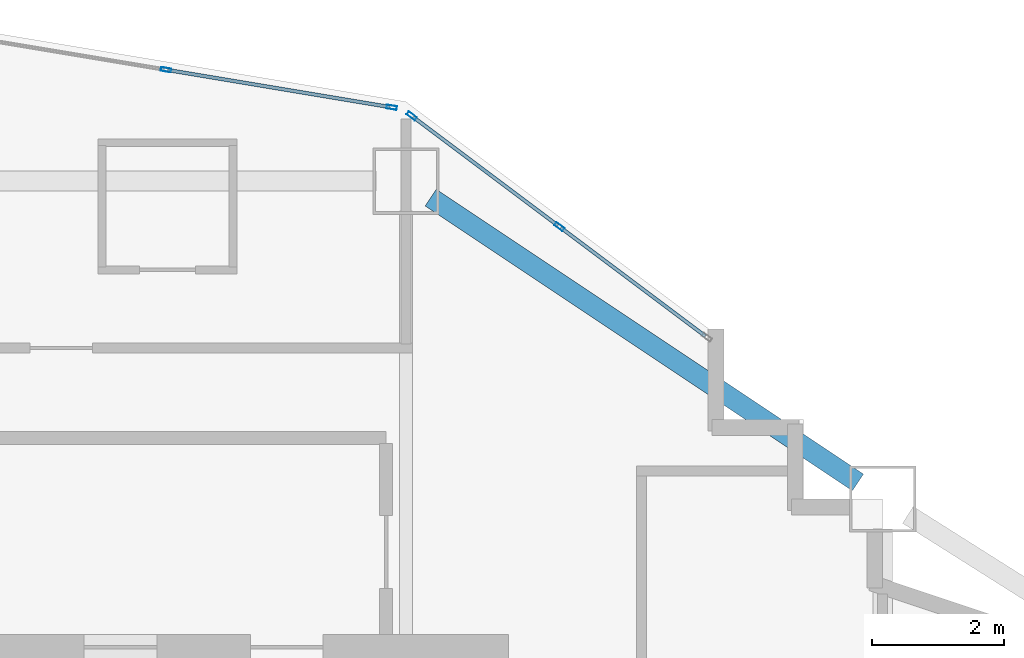
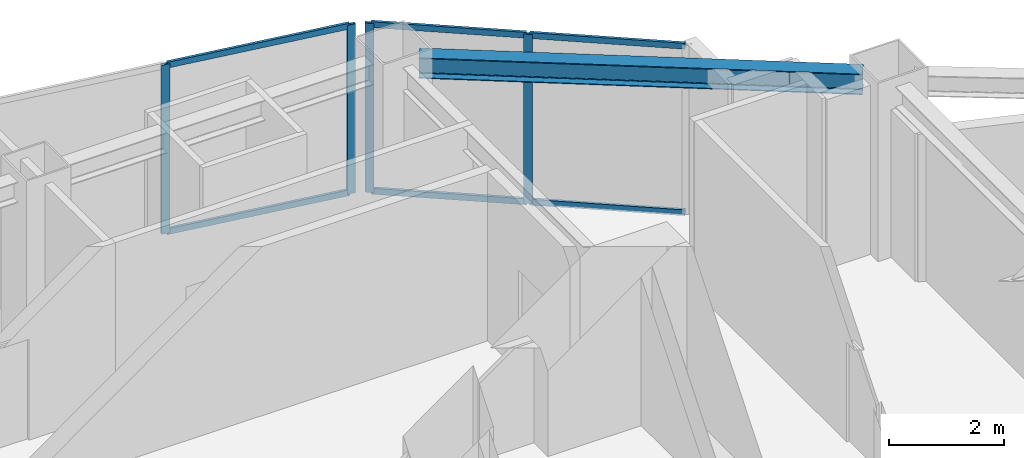
# One storey, part 3 of 16: 10 members, 1 beam, 2 elements without a shape of their own.
"""IFC4 building model written with IfcOpenShell, lengths in metres."""

from ifc_helpers import new_model, si_unit, direction, frame, origin, origin_2d, place, context, subcontext, project, spatial, hollow_rectangle, i_section, extrude, material, layer, layer_set, material_profile, profile_set, type_object, element, aggregate, save


model = new_model("IFC4")

# Units and contexts
model_context = context("Model", 3, precision=1e-05, world=origin(), true_north=direction((0.0, 1.0)))
body_context = subcontext(model_context, "Body", "Model", "MODEL_VIEW")
ifc_project = project(units=[si_unit("LENGTHUNIT", "METRE"), si_unit("AREAUNIT", "SQUARE_METRE"), si_unit("VOLUMEUNIT", "CUBIC_METRE"), si_unit("PLANEANGLEUNIT", "RADIAN"), si_unit("MASSUNIT", "GRAM", prefix="KILO")], contexts=[model_context])

# Site, building, storey
site_placement = place(None, origin())
site = spatial("IfcSite", under=ifc_project, at=site_placement, CompositionType="ELEMENT")
building_placement = place(site_placement, origin())
building = spatial("IfcBuilding", under=site, at=building_placement, Name="Haolan Belvedere Tower", CompositionType="ELEMENT")
storey_placement = place(building_placement, frame((0.0, 0.0, 125.0)))
storey = spatial("IfcBuildingStorey", under=building, at=storey_placement, Name="L31", CompositionType="ELEMENT", Elevation=125.0)

# Beam
ifc_material_1 = material(Name="Steel Q355B", Category="steel")
ifc_material_profile_1 = material_profile(ifc_material_1, i_section(OverallWidth=0.300048828125, OverallDepth=0.43994140625, WebThickness=0.010986328125, FlangeThickness=0.01806640625, FilletRadius=0.02392578125, at=origin_2d()), Name="Steel Q355B")
ifc_profile_set_1 = profile_set([ifc_material_profile_1], Name="Steel Q355B")
beam_type = type_object("IfcBeamType", Name="BM-HM440x300x11x18", PredefinedType="SPANDREL", material=ifc_profile_set_1)
beam_placement = place(storey_placement, frame((45.974365234375, 50.150390625, 3.3798828125), z_axis=(0.832050294338, -0.554700196225, 0.0), x_axis=(0.554700196225, 0.832050294338, 0.0)))
element("IfcBeam", 1, at=beam_placement, inside=storey, type_object=beam_type, Name="L31 spandrel girder MC-T3-N2-MC-T3-NE", PredefinedType="SPANDREL", context=body_context, shape_type="SweptSolid", body=[
    extrude(i_section(OverallWidth=0.300048828125, OverallDepth=0.43994140625, WebThickness=0.010986328125, FlangeThickness=0.01806640625, FilletRadius=0.02392578125, at=origin_2d()), origin(), (0.0, 0.0, 1.0), 7.75341796875),
])

# Curtain wall, members
ifc_material_2 = material(Name="Anodised champagne-silver aluminium 6063-T6 and Low-E glass", Category="aluminium")
ifc_layer = layer(ifc_material_2, 0.155029296875, Name="Anodised champagne-silver aluminium 6063-T6 and Low-E glass")
ifc_layer_set = layer_set([ifc_layer], Name="Anodised champagne-silver aluminium 6063-T6 and Low-E glass")
curtain_wall_type = type_object("IfcCurtainWallType", Name="CW-SYS-03", PredefinedType="NOTDEFINED", material=ifc_layer_set)
curtain_wall_1_placement = place(storey_placement, origin())
curtain_wall_1 = element("IfcCurtainWall", 2, at=curtain_wall_1_placement, inside=storey, type_object=curtain_wall_type, Name="L31 CW-SYS-03 ribbon curtain wall 26.1", PredefinedType="NOTDEFINED")
ifc_material_3 = material(Name="Anodised aluminium 6063-T6", Category="aluminium")
ifc_material_profile_2 = material_profile(ifc_material_3, hollow_rectangle(XDim=0.05810546875, YDim=0.155029296875, WallThickness=0.00390625, at=origin_2d()), Name="Anodised aluminium 6063-T6")
ifc_profile_set_2 = profile_set([ifc_material_profile_2], Name="Anodised aluminium 6063-T6")
member_type_1 = type_object("IfcMemberType", Name="CW-SYS-03-MUL", PredefinedType="MULLION", material=ifc_profile_set_2)
member_1_placement = place(storey_placement, frame((47.915771484375, 49.713134765625, 0.0), z_axis=(0.0, 0.0, 1.0), x_axis=(-0.599994316874, -0.800004262313, 0.0)))
member_1 = element("IfcMember", 3, at=member_1_placement, type_object=member_type_1, Name="CW-03 mullion 2", PredefinedType="MULLION", context=body_context, shape_type="SweptSolid", body=[
    extrude(hollow_rectangle(XDim=0.05810546875, YDim=0.155029296875, WallThickness=0.00390625, at=origin_2d()), origin(), (0.0, 0.0, 1.0), 3.60009765625),
])
member_2_placement = place(storey_placement, frame((45.6865234375, 51.385009765625, 0.0), z_axis=(0.0, 0.0, 1.0), x_axis=(-0.599994316874, -0.800004262313, 0.0)))
member_2 = element("IfcMember", 4, at=member_2_placement, type_object=member_type_1, Name="CW-03 mullion 3", PredefinedType="MULLION", context=body_context, shape_type="SweptSolid", body=[
    extrude(hollow_rectangle(XDim=0.05810546875, YDim=0.155029296875, WallThickness=0.00390625, at=origin_2d()), origin(), (0.0, 0.0, 1.0), 3.60009765625),
])

curtain_wall_2_placement = place(storey_placement, origin())
curtain_wall_2 = element("IfcCurtainWall", 5, at=curtain_wall_2_placement, inside=storey, type_object=curtain_wall_type, Name="L31 CW-SYS-03 ribbon curtain wall 27.1", PredefinedType="NOTDEFINED")
member_3_placement = place(storey_placement, frame((45.384765625, 51.51416015625, 0.0), z_axis=(0.0, 0.0, 1.0), x_axis=(-0.16440364043, -0.9863931483, 0.0)))
member_3 = element("IfcMember", 6, at=member_3_placement, type_object=member_type_1, Name="CW-03 mullion 1", PredefinedType="MULLION", context=body_context, shape_type="SweptSolid", body=[
    extrude(hollow_rectangle(XDim=0.05810546875, YDim=0.155029296875, WallThickness=0.00390625, at=origin_2d()), origin(), (0.0, 0.0, 1.0), 3.60009765625),
])
member_4_placement = place(storey_placement, frame((41.9755859375, 52.082275390625, 0.0), z_axis=(0.0, 0.0, 1.0), x_axis=(-0.16440364043, -0.9863931483, 0.0)))
member_4 = element("IfcMember", 7, at=member_4_placement, type_object=member_type_1, Name="CW-03 mullion 2", PredefinedType="MULLION", context=body_context, shape_type="SweptSolid", body=[
    extrude(hollow_rectangle(XDim=0.05810546875, YDim=0.155029296875, WallThickness=0.00390625, at=origin_2d()), origin(), (0.0, 0.0, 1.0), 3.60009765625),
])

# Member
ifc_material_profile_3 = material_profile(ifc_material_3, hollow_rectangle(XDim=0.053955078125, YDim=0.125, WallThickness=0.00390625, at=origin_2d()), Name="Anodised aluminium 6063-T6")
ifc_profile_set_3 = profile_set([ifc_material_profile_3], Name="Anodised aluminium 6063-T6")
member_type_2 = type_object("IfcMemberType", Name="CW-SYS-03-TRN", PredefinedType="USERDEFINED", material=ifc_profile_set_3)
member_5_placement = place(storey_placement, frame((50.12158203125, 48.058837890625, 0.027099609375), z_axis=(-0.8, 0.6, 0.0), x_axis=(-0.6, -0.8, 0.0)))
member_5 = element("IfcMember", 8, at=member_5_placement, type_object=member_type_2, Name="CW-03 transom 1.1", ObjectType="TRANSOM", PredefinedType="USERDEFINED", context=body_context, shape_type="SweptSolid", body=[
    extrude(hollow_rectangle(XDim=0.053955078125, YDim=0.125, WallThickness=0.00390625, at=origin_2d()), origin(), (0.0, 0.0, 1.0), 2.728271484375),
])

member_6_placement = place(storey_placement, frame((50.12158203125, 48.058837890625, 3.572998046875), z_axis=(-0.8, 0.6, 0.0), x_axis=(-0.6, -0.8, 0.0)))
member_6 = element("IfcMember", 9, at=member_6_placement, type_object=member_type_2, Name="CW-03 transom 1.2", ObjectType="TRANSOM", PredefinedType="USERDEFINED", context=body_context, shape_type="SweptSolid", body=[
    extrude(hollow_rectangle(XDim=0.053955078125, YDim=0.125, WallThickness=0.00390625, at=origin_2d()), origin(), (0.0, 0.0, 1.0), 2.728271484375),
])

member_7_placement = place(storey_placement, frame((47.892578125, 49.730712890625, 0.027099609375), z_axis=(-0.800032211306, 0.59995704919, 0.0), x_axis=(-0.59995704919, -0.800032211306, 0.0)))
member_7 = element("IfcMember", 10, at=member_7_placement, type_object=member_type_2, Name="CW-03 transom 2.1", ObjectType="TRANSOM", PredefinedType="USERDEFINED", context=body_context, shape_type="SweptSolid", body=[
    extrude(hollow_rectangle(XDim=0.053955078125, YDim=0.125, WallThickness=0.00390625, at=origin_2d()), origin(), (0.0, 0.0, 1.0), 2.728515625),
])

member_8_placement = place(storey_placement, frame((47.892578125, 49.730712890625, 3.572998046875), z_axis=(-0.800032211306, 0.59995704919, 0.0), x_axis=(-0.59995704919, -0.800032211306, 0.0)))
member_8 = element("IfcMember", 11, at=member_8_placement, type_object=member_type_2, Name="CW-03 transom 2.2", ObjectType="TRANSOM", PredefinedType="USERDEFINED", context=body_context, shape_type="SweptSolid", body=[
    extrude(hollow_rectangle(XDim=0.053955078125, YDim=0.125, WallThickness=0.00390625, at=origin_2d()), origin(), (0.0, 0.0, 1.0), 2.728515625),
])

aggregate(curtain_wall_1, [member_1, member_2, member_5, member_6, member_7, member_8])

member_9_placement = place(storey_placement, frame((45.356201171875, 51.51904296875, 0.027099609375), z_axis=(-0.986395865591, 0.16438733633, 0.0), x_axis=(-0.16438733633, -0.986395865591, 0.0)))
member_9 = element("IfcMember", 12, at=member_9_placement, type_object=member_type_2, Name="CW-03 transom 1.1", ObjectType="TRANSOM", PredefinedType="USERDEFINED", context=body_context, shape_type="SweptSolid", body=[
    extrude(hollow_rectangle(XDim=0.053955078125, YDim=0.125, WallThickness=0.00390625, at=origin_2d()), origin(), (0.0, 0.0, 1.0), 3.39794921875),
])

member_10_placement = place(storey_placement, frame((45.356201171875, 51.51904296875, 3.572998046875), z_axis=(-0.986395865591, 0.16438733633, 0.0), x_axis=(-0.16438733633, -0.986395865591, 0.0)))
member_10 = element("IfcMember", 13, at=member_10_placement, type_object=member_type_2, Name="CW-03 transom 1.2", ObjectType="TRANSOM", PredefinedType="USERDEFINED", context=body_context, shape_type="SweptSolid", body=[
    extrude(hollow_rectangle(XDim=0.053955078125, YDim=0.125, WallThickness=0.00390625, at=origin_2d()), origin(), (0.0, 0.0, 1.0), 3.39794921875),
])

aggregate(curtain_wall_2, [member_3, member_4, member_9, member_10])

save(model, "model.ifc")
